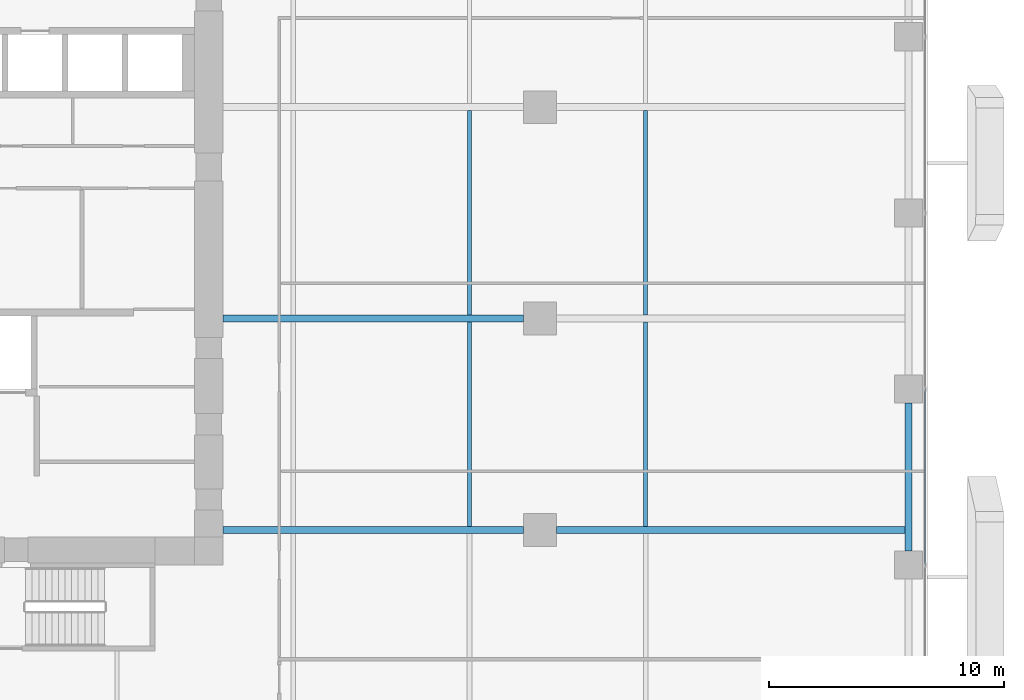
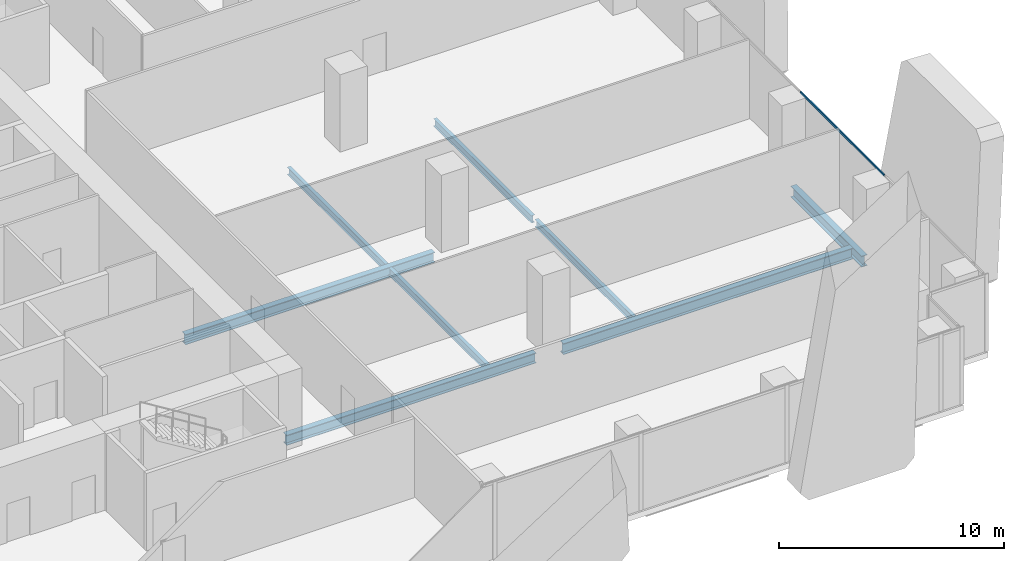
# One storey, part 9 of 34: 8 beams, 1 member, 1 element without a shape of its own.
"""IFC4 building model written with IfcOpenShell, lengths in metres."""

from ifc_helpers import new_model, si_unit, direction, frame, origin, origin_2d, place, context, subcontext, project, spatial, hollow_rectangle, i_section, extrude, source, transform, mapped, material, material_profile, profile_set, type_object, element, aggregate, save


model = new_model("IFC4")

# Units and contexts
model_context = context("Model", 3, precision=1e-05, world=origin(), true_north=direction((0.0, 1.0)))
body_context = subcontext(model_context, "Body", "Model", "MODEL_VIEW")
ifc_project = project(units=[si_unit("LENGTHUNIT", "METRE"), si_unit("AREAUNIT", "SQUARE_METRE"), si_unit("VOLUMEUNIT", "CUBIC_METRE"), si_unit("PLANEANGLEUNIT", "RADIAN"), si_unit("MASSUNIT", "GRAM", prefix="KILO")], contexts=[model_context])

# Site, building, storey
site_placement = place(None, origin())
site = spatial("IfcSite", under=ifc_project, at=site_placement, CompositionType="ELEMENT")
building_placement = place(site_placement, origin())
building = spatial("IfcBuilding", under=site, at=building_placement, Name="Khomas Fold Tower", CompositionType="ELEMENT")
storey_placement = place(building_placement, frame((0.0, 0.0, 51.0)))
storey = spatial("IfcBuildingStorey", under=building, at=storey_placement, Name="L10", CompositionType="ELEMENT", Elevation=51.0)

# Beams
ifc_material_1 = material(Name="Steel S355", Category="steel")
ifc_material_profile_1 = material_profile(ifc_material_1, i_section(OverallWidth=0.300048828125, OverallDepth=0.550048828125, WebThickness=0.014892578125, FlangeThickness=0.029052734375, at=origin_2d()), Name="HE 550 B")
ifc_profile_set_1 = profile_set([ifc_material_profile_1], Name="Steel S355")
beam_type_1 = type_object("IfcBeamType", Name="HE 550 B beam GB4", PredefinedType="BEAM", material=ifc_profile_set_1)
shared_shape_1 = source(origin(), body_context, "Body", "SweptSolid", [
    extrude(i_section(OverallWidth=0.300048828125, OverallDepth=0.550048828125, WebThickness=0.014892578125, FlangeThickness=0.029052734375, at=origin_2d()), origin(), (0.0, 0.0, 1.0), 12.800048828125),
])
for number, where, z_axis, x_axis, name in (
    (1, (24.0, 13.5, -0.574951171875), (1.0, 0.0, 0.0), (0.0, 1.0, 0.0), "GB4"),
    (2, (24.0, 22.5, -0.574951171875), (1.0, 0.0, 0.0), (0.0, 1.0, 0.0), "GB4"),
):
    element("IfcBeam", number, at=place(storey_placement, frame(where, z_axis=z_axis, x_axis=x_axis)), inside=storey, type_object=beam_type_1, Name=name, PredefinedType="BEAM", context=body_context, shape_type="MappedRepresentation", body=[
        mapped(shared_shape_1, transform((0.0, 0.0, 0.0))),
    ])
ifc_material_2 = material(Name="Steel S355", Category="steel")
ifc_material_profile_2 = material_profile(ifc_material_2, i_section(OverallWidth=0.179931640625, OverallDepth=0.39990234375, WebThickness=0.008544921875, FlangeThickness=0.013427734375, at=origin_2d()), Name="IPE 400")
ifc_profile_set_2 = profile_set([ifc_material_profile_2], Name="Steel S355")
beam_type_2 = type_object("IfcBeamType", Name="IPE 400 beam JB3", PredefinedType="BEAM", material=ifc_profile_set_2)
shared_shape_2 = source(origin(), body_context, "Body", "SweptSolid", [
    extrude(i_section(OverallWidth=0.179931640625, OverallDepth=0.39990234375, WebThickness=0.008544921875, FlangeThickness=0.013427734375, at=origin_2d()), origin(), (0.0, 0.0, 1.0), 8.7001953125),
])
for number, where, z_axis, x_axis, name in (
    (3, (34.5, 13.64990234375, -0.5), (0.0, 1.0, 0.0), (-1.0, 0.0, 0.0), "JB3"),
    (4, (34.5, 22.64990234375, -0.5), (0.0, 1.0, 0.0), (-1.0, 0.0, 0.0), "JB3"),
    (5, (42.0, 13.64990234375, -0.5), (0.0, 1.0, 0.0), (-1.0, 0.0, 0.0), "JB3"),
    (6, (42.0, 22.64990234375, -0.5), (0.0, 1.0, 0.0), (-1.0, 0.0, 0.0), "JB3"),
):
    element("IfcBeam", number, at=place(storey_placement, frame(where, z_axis=z_axis, x_axis=x_axis)), inside=storey, type_object=beam_type_2, Name=name, PredefinedType="BEAM", context=body_context, shape_type="MappedRepresentation", body=[
        mapped(shared_shape_2, transform((0.0, 0.0, 0.0))),
    ])
ifc_material_3 = material(Name="Steel S355", Category="steel")
ifc_material_profile_3 = material_profile(ifc_material_3, i_section(OverallWidth=0.300048828125, OverallDepth=0.60009765625, WebThickness=0.015380859375, FlangeThickness=0.030029296875, at=origin_2d()), Name="HE 600 B")
ifc_profile_set_3 = profile_set([ifc_material_profile_3], Name="Steel S355")
beam_type_3 = type_object("IfcBeamType", Name="HE 600 B spandrel SB1", PredefinedType="SPANDREL", material=ifc_profile_set_3)
shared_shape_3 = source(origin(), body_context, "Body", "SweptSolid", [
    extrude(i_section(OverallWidth=0.300048828125, OverallDepth=0.60009765625, WebThickness=0.015380859375, FlangeThickness=0.030029296875, at=origin_2d()), origin(), (0.0, 0.0, 1.0), 6.2998046875),
])
beam_1_placement = place(storey_placement, frame((53.199951171875, 12.60009765625, -0.60009765625), z_axis=(0.0, 1.0, 0.0), x_axis=(-1.0, 0.0, 0.0)))
element("IfcBeam", 7, at=beam_1_placement, inside=storey, type_object=beam_type_3, Name="SB1", PredefinedType="SPANDREL", context=body_context, shape_type="MappedRepresentation", body=[
    mapped(shared_shape_3, transform((0.0, 0.0, 0.0))),
])
ifc_material_4 = material(Name="Steel S355", Category="steel")
ifc_material_profile_4 = material_profile(ifc_material_4, i_section(OverallWidth=0.300048828125, OverallDepth=0.60009765625, WebThickness=0.015380859375, FlangeThickness=0.030029296875, at=origin_2d()), Name="HE 600 B")
ifc_profile_set_4 = profile_set([ifc_material_profile_4], Name="Steel S355")
beam_type_4 = type_object("IfcBeamType", Name="HE 600 B beam GB5", PredefinedType="BEAM", material=ifc_profile_set_4)
shared_shape_4 = source(origin(), body_context, "Body", "SweptSolid", [
    extrude(i_section(OverallWidth=0.300048828125, OverallDepth=0.60009765625, WebThickness=0.015380859375, FlangeThickness=0.030029296875, at=origin_2d()), origin(), (0.0, 0.0, 1.0), 14.85009765625),
])
beam_2_placement = place(storey_placement, frame((38.199951171875, 13.5, -0.60009765625), z_axis=(1.0, 0.0, 0.0), x_axis=(0.0, 1.0, 0.0)))
element("IfcBeam", 8, at=beam_2_placement, inside=storey, type_object=beam_type_4, Name="GB5", PredefinedType="BEAM", context=body_context, shape_type="MappedRepresentation", body=[
    mapped(shared_shape_4, transform((0.0, 0.0, 0.0))),
])

# Curtain wall, member
ifc_material_5 = material(Name="Aluminium framed double glazing", Category="aluminium")
curtain_wall_type = type_object("IfcCurtainWallType", Name="SK-Unitised clear-glass wall, growing floors CW1", PredefinedType="NOTDEFINED", material=ifc_material_5)
curtain_wall_placement = place(storey_placement, origin())
curtain_wall = element("IfcCurtainWall", 9, at=curtain_wall_placement, inside=storey, type_object=curtain_wall_type, Name="CW1 run L10 03-0", PredefinedType="NOTDEFINED")
ifc_material_6 = material(Name="Aluminium", Category="aluminium")
ifc_material_profile_5 = material_profile(ifc_material_6, hollow_rectangle(XDim=0.06005859375, YDim=0.1201171875, WallThickness=0.00390625, at=origin_2d()), Name="SK-Unitised clear-glass wall, growing floors transom CW1-T")
ifc_profile_set_5 = profile_set([ifc_material_profile_5], Name="Aluminium")
member_type = type_object("IfcMemberType", Name="SK-Unitised clear-glass wall, growing floors transom CW1-T", PredefinedType="USERDEFINED", material=ifc_profile_set_5)
shared_shape_5 = source(origin(), body_context, "Body", "SweptSolid", [
    extrude(hollow_rectangle(XDim=0.06005859375, YDim=0.1201171875, WallThickness=0.00390625, at=origin_2d()), origin(), (0.0, 0.0, 1.0), 7.43994140625),
])
member_placement = place(storey_placement, frame((53.89990234375, 12.030029296875, 4.139892578125), z_axis=(0.0, 1.0, 0.0), x_axis=(-1.0, 0.0, 0.0)))
member = element("IfcMember", 10, at=member_placement, type_object=member_type, Name="CW1 transom 3", ObjectType="TRANSOM", PredefinedType="USERDEFINED", context=body_context, shape_type="MappedRepresentation", body=[
    mapped(shared_shape_5, transform((0.0, 0.0, 0.0))),
])
aggregate(curtain_wall, [member])

save(model, "model.ifc")
